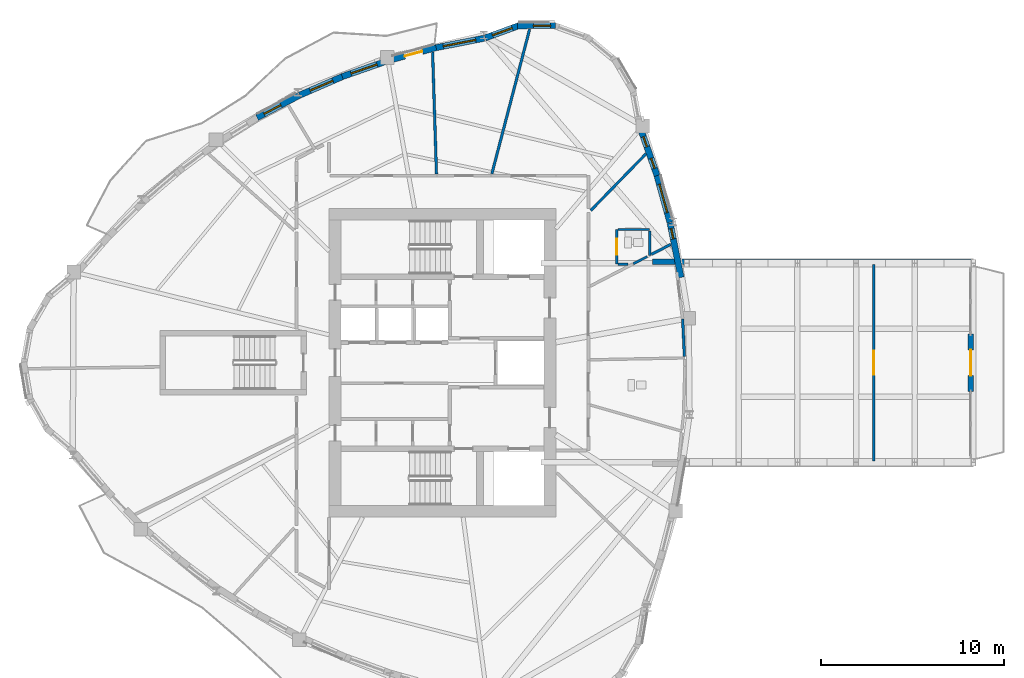
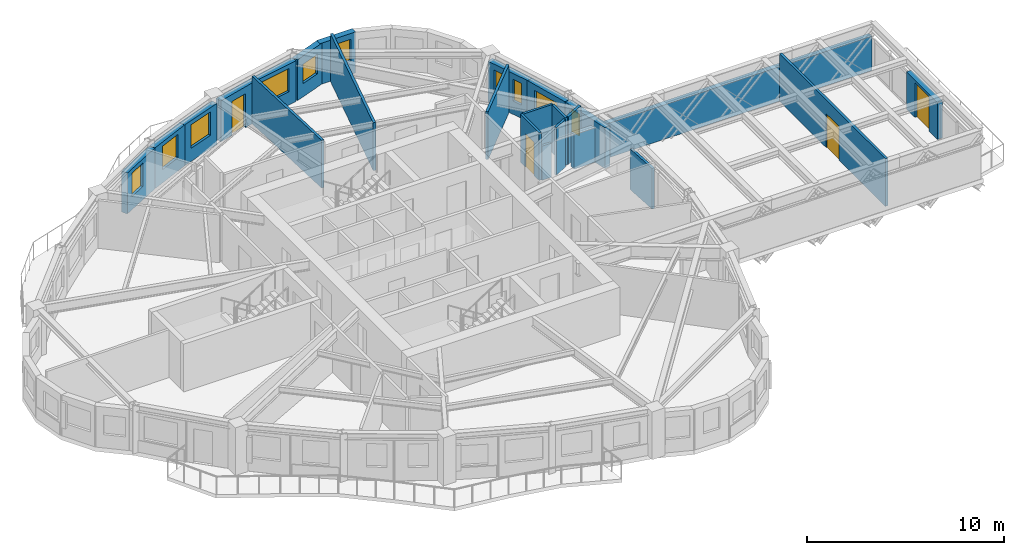
# One storey, part 8 of 13: 23 walls, 10 windows, 4 doors, 14 openings.
"""IFC4 building model written with IfcOpenShell, lengths in metres."""

import ifcopenshell
import ifcopenshell.guid

model = None  # the IFC model being written
_history = None  # IfcOwnerHistory: only IFC2X3 demands one
_inside = {}  # id of a spatial element -> (the spatial element, [elements in it])
_under = {}  # id of a project, library or spatial element -> (it, [spatial elements below it])
_declared = {}  # id of a project -> (the project, [libraries it declares])
_typed = {}  # id of a type object -> (the type object, [elements of that type])
_made_of = {}  # id of a material, layer set ... -> (it, [elements and type objects made of it])


def new_model(schema):
    """Start an empty IFC model of exactly this schema.

    Asked for "IFC4X3", IfcOpenShell would pick the latest addendum, in which some entities
    have other attributes; the version numbers below select the first issue.
    IFC2X3 requires an IfcOwnerHistory on every rooted entity: one is made here for all.
    """
    global model, _history
    if schema == "IFC4X3":
        model = ifcopenshell.file(schema_version=(4, 3, 0, 0))
    else:
        model = ifcopenshell.file(schema=schema)
    _inside.clear()
    _under.clear()
    _declared.clear()
    _typed.clear()
    _made_of.clear()
    _history = None
    if model.schema == "IFC2X3":
        org = make("IfcOrganization", Name="unknown")
        user = make(
            "IfcPersonAndOrganization",
            ThePerson=make("IfcPerson", FamilyName="unknown"),
            TheOrganization=org,
        )
        app = make(
            "IfcApplication",
            ApplicationDeveloper=org,
            Version="unknown",
            ApplicationFullName="unknown",
            ApplicationIdentifier="unknown",
        )
        _history = make(
            "IfcOwnerHistory",
            OwningUser=user,
            OwningApplication=app,
            ChangeAction="ADDED",
            CreationDate=0,
        )
    return model


def make(cls, **values):
    """One entity of the class cls with the attributes given. An attribute that is None is left unset."""
    return model.create_entity(
        cls, **{name: value for name, value in values.items() if value is not None}
    )


def rooted(cls, **values):
    """An entity with a GlobalId (a new one), such as an element, a storey or a relation."""
    return make(cls, GlobalId=ifcopenshell.guid.new(), OwnerHistory=_history, **values)


def si_unit(unit_type, name, prefix=None):
    """IfcSIUnit, for example si_unit("LENGTHUNIT", "METRE", prefix="MILLI")."""
    return make("IfcSIUnit", UnitType=unit_type, Prefix=prefix, Name=name)


def assignment(units):
    """IfcUnitAssignment: the units of a project."""
    return None if units is None else make("IfcUnitAssignment", Units=units)


def point(xyz):
    """IfcCartesianPoint."""
    return None if xyz is None else make("IfcCartesianPoint", Coordinates=xyz)


def direction(xyz):
    """IfcDirection."""
    return None if xyz is None else make("IfcDirection", DirectionRatios=xyz)


def frame(location, z_axis=None, x_axis=None):
    """IfcAxis2Placement3D, a coordinate frame: its origin and axes. An axis left out is left unset."""
    return make(
        "IfcAxis2Placement3D",
        Location=point(location),
        Axis=direction(z_axis),
        RefDirection=direction(x_axis),
    )


def frame_2d(location, x_axis=None):
    """IfcAxis2Placement2D, a coordinate frame in the plane: its origin and x axis."""
    return make(
        "IfcAxis2Placement2D", Location=point(location), RefDirection=direction(x_axis)
    )


def origin():
    """The frame at (0, 0, 0) with its axes left unset."""
    return frame((0.0, 0.0, 0.0))


def place(relative_to, where):
    """IfcLocalPlacement: puts the frame where relative to a parent placement (None: the world)."""
    return make(
        "IfcLocalPlacement", PlacementRelTo=relative_to, RelativePlacement=where
    )


def context(
    kind, dimensions, precision=None, world=None, true_north=None, identifier=None
):
    """IfcGeometricRepresentationContext, for example the 3D "Model" context."""
    return make(
        "IfcGeometricRepresentationContext",
        ContextIdentifier=identifier,
        ContextType=kind,
        CoordinateSpaceDimension=dimensions,
        Precision=precision,
        WorldCoordinateSystem=world,
        TrueNorth=true_north,
    )


def subcontext(parent, identifier, kind, view, scale=None):
    """IfcGeometricRepresentationSubContext, for example "Body" below "Model"."""
    return make(
        "IfcGeometricRepresentationSubContext",
        ContextIdentifier=identifier,
        ContextType=kind,
        ParentContext=parent,
        TargetScale=scale,
        TargetView=view,
    )


def project(units=None, contexts=None):
    """IfcProject with its units and contexts."""
    return rooted(
        "IfcProject",
        Name="project",
        RepresentationContexts=contexts,
        UnitsInContext=assignment(units),
    )


def spatial(cls, under=None, at=None, **own):
    """A site, building, storey or space (cls), placed at a placement, below another one or the project."""
    s = rooted(cls, ObjectPlacement=at, **own)
    if under is not None:
        _under.setdefault(under.id(), (under, []))[1].append(s)
    return s


def profile(cls, at=None, kind="AREA", **sizes):
    """A parametric profile (cls). Its sizes go by their IFC names, for example OverallWidth=200.0."""
    return make(cls, ProfileType=kind, Position=at, **sizes)


def rectangle(**sizes):
    """IfcRectangleProfileDef."""
    return profile("IfcRectangleProfileDef", **sizes)


def extrude(swept, where, along, depth):
    """IfcExtrudedAreaSolid: the profile swept, set in the frame where, extruded along a direction by depth."""
    return make(
        "IfcExtrudedAreaSolid",
        SweptArea=swept,
        Position=where,
        ExtrudedDirection=direction(along),
        Depth=depth,
    )


def shape(context_of_items, identifier, shape_type, items):
    """IfcShapeRepresentation: the items that make up one representation, for example the "Body"."""
    return make(
        "IfcShapeRepresentation",
        ContextOfItems=context_of_items,
        RepresentationIdentifier=identifier,
        RepresentationType=shape_type,
        Items=items,
    )


def source(mapping_origin, context_of_items, identifier, shape_type, items):
    """IfcRepresentationMap: a shape defined once, which mapped items show again and again."""
    return make(
        "IfcRepresentationMap",
        MappingOrigin=mapping_origin,
        MappedRepresentation=shape(context_of_items, identifier, shape_type, items),
    )


def transform(
    local_origin,
    x_axis=None,
    y_axis=None,
    z_axis=None,
    scale=None,
    scale2=None,
    scale3=None,
    uniform=True,
):
    """IfcCartesianTransformationOperator3D, or its non-uniform kind. x_axis, y_axis, z_axis: its Axis1, 2, 3."""
    if uniform:
        return make(
            "IfcCartesianTransformationOperator3D",
            Axis1=direction(x_axis),
            Axis2=direction(y_axis),
            LocalOrigin=point(local_origin),
            Scale=scale,
            Axis3=direction(z_axis),
        )
    return make(
        "IfcCartesianTransformationOperator3DnonUniform",
        Axis1=direction(x_axis),
        Axis2=direction(y_axis),
        LocalOrigin=point(local_origin),
        Scale=scale,
        Axis3=direction(z_axis),
        Scale2=scale2,
        Scale3=scale3,
    )


def mapped(mapping_source, mapping_target):
    """IfcMappedItem: shows the shape of a source again, moved by a transform."""
    return make(
        "IfcMappedItem", MappingSource=mapping_source, MappingTarget=mapping_target
    )


def material(Name=None, Category=None):
    """IfcMaterial."""
    return make("IfcMaterial", Name=Name, Category=Category)


def layer(
    of_material, thickness, ventilated=None, Name=None, Category=None, Priority=None
):
    """IfcMaterialLayer: one layer of a wall or slab, of a material (None: an air gap)."""
    return make(
        "IfcMaterialLayer",
        Material=of_material,
        LayerThickness=thickness,
        IsVentilated=ventilated,
        Name=Name,
        Category=Category,
        Priority=Priority,
    )


def layer_set(layers, Name=None):
    """IfcMaterialLayerSet."""
    return make("IfcMaterialLayerSet", MaterialLayers=layers, LayerSetName=Name)


def made_of(thing, what):
    """Note that an element or type object is made of a material, layer set ...; save() writes the relation."""
    if what is not None:
        _made_of.setdefault(what.id(), (what, []))[1].append(thing)
    return thing


def type_object(cls, material=None, **own):
    """A type object (cls), such as IfcWallType, which elements share."""
    return made_of(rooted(cls, **own), material)


def element(
    cls,
    number,
    at=None,
    inside=None,
    cuts=None,
    type_object=None,
    material=None,
    context=None,
    identifier="Body",
    shape_type=None,
    held_by="IfcProductDefinitionShape",
    body=None,
    shapes=None,
    **own,
):
    """One element of the class cls, such as IfcWall. Its Tag is "e" and its number.

    at: its placement. inside: the storey or other place that contains it. cuts: it is an
    opening in that element (IfcRelVoidsElement). A single representation is given by context,
    identifier, shape_type and body (its items); several are given by shapes. held_by: the class
    of the entity that holds the representations. save() writes the other relations.
    """
    e = rooted(cls, Tag="e%d" % number, ObjectPlacement=at, **own)
    if body is not None:
        shapes = [shape(context, identifier, shape_type, body)]
    if shapes is not None:
        e.Representation = make(held_by, Representations=shapes)
    if inside is not None:
        _inside.setdefault(inside.id(), (inside, []))[1].append(e)
    if cuts is not None:
        rooted(
            "IfcRelVoidsElement", RelatingBuildingElement=cuts, RelatedOpeningElement=e
        )
    if type_object is not None:
        _typed.setdefault(type_object.id(), (type_object, []))[1].append(e)
    return made_of(e, material)


def fill(opening, filler):
    """IfcRelFillsElement: the door or window that sits in an opening."""
    return rooted(
        "IfcRelFillsElement",
        RelatingOpeningElement=opening,
        RelatedBuildingElement=filler,
    )


def aggregate(whole, parts):
    """IfcRelAggregates: a whole, such as a stair, and the parts it consists of."""
    return rooted("IfcRelAggregates", RelatingObject=whole, RelatedObjects=parts)


def save(model, path):
    """Write the relations noted so far, then the file.

    IfcRelAggregates (storeys below a building ...), IfcRelContainedInSpatialStructure (elements
    in a storey), IfcRelDefinesByType, IfcRelAssociatesMaterial and IfcRelDeclares: one each for
    every whole, place, type object, material and project.
    """
    for whole, parts in _under.values():
        aggregate(whole, parts)
    for where, things in _inside.values():
        rooted(
            "IfcRelContainedInSpatialStructure",
            RelatedElements=things,
            RelatingStructure=where,
        )
    for kind, things in _typed.values():
        rooted("IfcRelDefinesByType", RelatedObjects=things, RelatingType=kind)
    for what, things in _made_of.values():
        rooted("IfcRelAssociatesMaterial", RelatedObjects=things, RelatingMaterial=what)
    for by, libraries in _declared.values():
        rooted("IfcRelDeclares", RelatingContext=by, RelatedDefinitions=libraries)
    model.write(path)


model = new_model("IFC4")

# Units and contexts
model_context = context("Model", 3, precision=1e-05, world=origin(), true_north=direction((0.0, 1.0)))
body_context = subcontext(model_context, "Body", "Model", "MODEL_VIEW")
ifc_project = project(units=[si_unit("LENGTHUNIT", "METRE"), si_unit("AREAUNIT", "SQUARE_METRE"), si_unit("VOLUMEUNIT", "CUBIC_METRE"), si_unit("PLANEANGLEUNIT", "RADIAN"), si_unit("MASSUNIT", "GRAM", prefix="KILO")], contexts=[model_context])

# Site, building, storey
site_placement = place(None, origin())
site = spatial("IfcSite", under=ifc_project, at=site_placement, CompositionType="ELEMENT")
building_placement = place(site_placement, origin())
building = spatial("IfcBuilding", under=site, at=building_placement, Name="Qafzar Sky-Pleat Residences", CompositionType="ELEMENT")
storey_placement = place(building_placement, frame((0.0, 0.0, 158.60009765625)))
storey = spatial("IfcBuildingStorey", under=building, at=storey_placement, Name="L47", CompositionType="ELEMENT", Elevation=158.60009765625)

# Wall, opening, door
ifc_material_1 = material(Name="Acoustic gypsum plasterboard partition", Category="gypsum")
ifc_layer_1 = layer(ifc_material_1, 0.14501953125)
ifc_layer_set_1 = layer_set([ifc_layer_1], Name="Acoustic gypsum plasterboard partition")
wall_type_1 = type_object("IfcWallType", Name="PART-UNIT-145", PredefinedType="PARTITIONING", material=ifc_layer_set_1)
wall_1_placement = place(storey_placement, frame((53.93798828125, 31.362060546875, 0.0), z_axis=(0.0, 0.0, 1.0), x_axis=(0.0, -1.0, 0.0)))
wall_1 = element("IfcWall", 1, at=wall_1_placement, inside=storey, type_object=wall_type_1, Name="L47 Partition Wall PART-L47-PW-001", PredefinedType="PARTITIONING", context=body_context, shape_type="SweptSolid", body=[
    extrude(rectangle(XDim=10.72412109375, YDim=0.14501953125, at=frame_2d((5.362060546875, 0.0))), origin(), (0.0, 0.0, 1.0), 2.949951171875),
])
opening_1_placement = place(wall_1_placement, frame((4.7119140625, 0.0, 0.0)))
opening_1 = element("IfcOpeningElement", 2, at=opening_1_placement, cuts=wall_1, Name="Opening ID-05", PredefinedType="OPENING", context=body_context, shape_type="SweptSolid", body=[
    extrude(rectangle(XDim=1.300048828125, YDim=2.10009765625, at=frame_2d((0.64990234375, 1.050048828125))), frame((0.0, 0.08251953125, 0.0), z_axis=(0.0, -1.0, 0.0), x_axis=(1.0, 0.0, 0.0)), (0.0, 0.0, 1.0), 0.1650390625),
])
ifc_material_2 = material(Name="Timber-faced fire door", Category="wood")
door_type_1 = type_object("IfcDoorType", Name="DR-LNG-1300", OperationType="DOUBLE_DOOR_SINGLE_SWING", PredefinedType="DOOR", material=ifc_material_2)
shared_shape_1 = source(origin(), body_context, "Body", "SweptSolid", [
    extrude(rectangle(XDim=1.300048828125, YDim=2.10009765625, at=frame_2d((0.64990234375, 1.050048828125))), frame((0.0, 0.02490234375, 0.0), z_axis=(0.0, -1.0, 0.0), x_axis=(1.0, 0.0, 0.0)), (0.0, 0.0, 1.0), 0.050048828125),
])
door_1_placement = place(opening_1_placement, origin())
door_1 = element("IfcDoor", 3, at=door_1_placement, inside=storey, type_object=door_type_1, Name="L47 Panorama Sky Lounge Door", OperationType="DOUBLE_DOOR_SINGLE_SWING", OverallHeight=2.10009765625, OverallWidth=1.300048828125, PredefinedType="DOOR", context=body_context, shape_type="MappedRepresentation", body=[
    mapped(shared_shape_1, transform((0.0, 0.0, 0.0), x_axis=(1.0, 0.0, 0.0), y_axis=(0.0, 1.0, 0.0), z_axis=(0.0, 0.0, 1.0), scale=1.0)),
])
fill(opening_1, door_1)

# Walls
wall_2_placement = place(storey_placement, frame((33.0517578125, 36.336181640625, 0.0), z_axis=(0.0, 0.0, 1.0), x_axis=(0.252838925964, 0.967508386277, 0.0)))
element("IfcWall", 4, at=wall_2_placement, inside=storey, type_object=wall_type_1, Name="L47 Partition Wall PART-L47-PW-017", PredefinedType="PARTITIONING", context=body_context, shape_type="SweptSolid", body=[
    extrude(rectangle(XDim=8.173828125, YDim=0.14501953125, at=frame_2d((4.0869140625, 0.0))), origin(), (0.0, 0.0, 1.0), 2.949951171875),
])
wall_3_placement = place(storey_placement, frame((29.81005859375, 42.9853515625, 0.0), z_axis=(0.0, 0.0, 1.0), x_axis=(0.031815387529, -0.99949376242, 0.0)))
element("IfcWall", 5, at=wall_3_placement, inside=storey, type_object=wall_type_1, Name="L47 Partition Wall PART-L47-PW-020", PredefinedType="PARTITIONING", context=body_context, shape_type="SweptSolid", body=[
    extrude(rectangle(XDim=6.66845703125, YDim=0.14501953125, at=frame_2d((3.334228515625, 0.0))), origin(), (0.0, 0.0, 1.0), 2.949951171875),
])
wall_4_placement = place(storey_placement, frame((38.467529296875, 34.333251953125, 0.0), z_axis=(0.0, 0.0, 1.0), x_axis=(0.697683159601, 0.71640645503, 0.0)))
element("IfcWall", 6, at=wall_4_placement, inside=storey, type_object=wall_type_1, Name="L47 Partition Wall PART-L47-PW-025", PredefinedType="PARTITIONING", context=body_context, shape_type="SweptSolid", body=[
    extrude(rectangle(XDim=4.316162109375, YDim=0.14501953125, at=frame_2d((2.158203125, 0.0))), origin(), (0.0, 0.0, 1.0), 2.949951171875),
])
wall_5_placement = place(storey_placement, frame((43.48779296875, 28.39501953125, 0.0), z_axis=(0.0, 0.0, 1.0), x_axis=(0.047441179451, -0.998874033346, 0.0)))
element("IfcWall", 7, at=wall_5_placement, inside=storey, type_object=wall_type_1, Name="L47 Partition Wall PART-L47-PW-030", PredefinedType="PARTITIONING", context=body_context, shape_type="SweptSolid", body=[
    extrude(rectangle(XDim=2.058349609375, YDim=0.14501953125, at=frame_2d((1.029296875, 0.0))), origin(), (0.0, 0.0, 1.0), 2.517822265625),
])
wall_6_placement = place(storey_placement, frame((41.777587890625, 31.92578125, 0.0), z_axis=(0.0, 0.0, 1.0), x_axis=(0.887683122967, 0.460454854681, 0.0)))
element("IfcWall", 8, at=wall_6_placement, inside=storey, type_object=wall_type_1, Name="L47 Partition Wall PART-L47-PW-039", PredefinedType="PARTITIONING", context=body_context, shape_type="SweptSolid", body=[
    extrude(rectangle(XDim=1.1904296875, YDim=0.14501953125, at=frame_2d((0.59521484375, 0.0))), origin(), (0.0, 0.0, 1.0), 2.949951171875),
])

# Wall, opening, door
ifc_material_3 = material(Name="Moisture-resistant gypsum partition", Category="gypsum")
ifc_layer_2 = layer(ifc_material_3, 0.1298828125)
ifc_layer_set_2 = layer_set([ifc_layer_2], Name="Moisture-resistant gypsum partition")
wall_type_2 = type_object("IfcWallType", Name="PART-WET-130", PredefinedType="PARTITIONING", material=ifc_layer_set_2)
wall_7_placement = place(storey_placement, frame((39.886962890625, 33.291015625, 0.0), z_axis=(0.0, 0.0, 1.0), x_axis=(0.0, -1.0, 0.0)))
wall_7 = element("IfcWall", 9, at=wall_7_placement, inside=storey, type_object=wall_type_2, Name="L47 Partition Wall PART-L47-PW-014", PredefinedType="PARTITIONING", context=body_context, shape_type="SweptSolid", body=[
    extrude(rectangle(XDim=1.89990234375, YDim=0.1298828125, at=frame_2d((0.949951171875, 0.0))), origin(), (0.0, 0.0, 1.0), 2.949951171875),
])
opening_2_placement = place(wall_7_placement, frame((0.510009765625, 0.0, 0.0)))
opening_2 = element("IfcOpeningElement", 10, at=opening_2_placement, cuts=wall_7, Name="Opening ID-07", PredefinedType="OPENING", context=body_context, shape_type="SweptSolid", body=[
    extrude(rectangle(XDim=0.8798828125, YDim=2.050048828125, at=frame_2d((0.43994140625, 1.02490234375))), frame((0.0, 0.074951171875, 0.0), z_axis=(0.0, -1.0, 0.0), x_axis=(1.0, 0.0, 0.0)), (0.0, 0.0, 1.0), 0.14990234375),
])
door_type_2 = type_object("IfcDoorType", Name="DR-WET-880", OperationType="NOTDEFINED", PredefinedType="DOOR", material=ifc_material_2)
shared_shape_2 = source(origin(), body_context, "Body", "SweptSolid", [
    extrude(rectangle(XDim=0.8798828125, YDim=2.050048828125, at=frame_2d((0.43994140625, 1.02490234375))), frame((0.0, 0.02490234375, 0.0), z_axis=(0.0, -1.0, 0.0), x_axis=(1.0, 0.0, 0.0)), (0.0, 0.0, 1.0), 0.050048828125),
])
door_2_placement = place(opening_2_placement, origin())
door_2 = element("IfcDoor", 11, at=door_2_placement, inside=storey, type_object=door_type_2, Name="L47 En-suite Bathroom 1 Door", OperationType="SINGLE_SWING_RIGHT", OverallHeight=2.050048828125, OverallWidth=0.8798828125, PredefinedType="DOOR", context=body_context, shape_type="MappedRepresentation", body=[
    mapped(shared_shape_2, transform((0.0, 0.0, 0.0), x_axis=(1.0, 0.0, 0.0), y_axis=(0.0, 1.0, 0.0), z_axis=(0.0, 0.0, 1.0), scale=1.0)),
])
fill(opening_2, door_2)

# Walls
wall_8_placement = place(storey_placement, frame((39.9599609375, 33.291015625, 0.0), z_axis=(0.0, 0.0, 1.0), x_axis=(1.0, 0.0, 0.0)))
element("IfcWall", 12, at=wall_8_placement, inside=storey, type_object=wall_type_2, Name="L47 Partition Wall PART-L47-PW-031", PredefinedType="PARTITIONING", context=body_context, shape_type="SweptSolid", body=[
    extrude(rectangle(XDim=1.72705078125, YDim=0.1298828125, at=frame_2d((0.863525390625, 0.0))), origin(), (0.0, 0.0, 1.0), 2.949951171875),
])
wall_9_placement = place(storey_placement, frame((41.68701171875, 31.87890625, 0.0), z_axis=(0.0, 0.0, 1.0), x_axis=(0.0, 1.0, 0.0)))
element("IfcWall", 13, at=wall_9_placement, inside=storey, type_object=wall_type_2, Name="L47 Partition Wall PART-L47-PW-038", PredefinedType="PARTITIONING", context=body_context, shape_type="SweptSolid", body=[
    extrude(rectangle(XDim=1.339111328125, YDim=0.1298828125, at=frame_2d((0.66943359375, 0.0))), origin(), (0.0, 0.0, 1.0), 2.949951171875),
])
wall_10_placement = place(storey_placement, frame((40.789306640625, 31.4130859375, 0.0), z_axis=(0.0, 0.0, 1.0), x_axis=(0.887895541879, 0.460045113779, 0.0)))
element("IfcWall", 14, at=wall_10_placement, inside=storey, type_object=wall_type_2, Name="L47 Partition Wall PART-L47-PW-042", PredefinedType="PARTITIONING", context=body_context, shape_type="SweptSolid", body=[
    extrude(rectangle(XDim=0.864501953125, YDim=0.1298828125, at=frame_2d((0.43212890625, 0.0))), origin(), (0.0, 0.0, 1.0), 2.949951171875),
])
wall_11_placement = place(storey_placement, frame((39.9599609375, 31.39111328125, 0.0), z_axis=(0.0, 0.0, 1.0), x_axis=(1.0, 0.0, 0.0)))
element("IfcWall", 15, at=wall_11_placement, inside=storey, type_object=wall_type_2, Name="L47 Partition Wall PART-L47-PW-045", PredefinedType="PARTITIONING", context=body_context, shape_type="SweptSolid", body=[
    extrude(rectangle(XDim=0.546142578125, YDim=0.1298828125, at=frame_2d((0.27294921875, 0.0))), origin(), (0.0, 0.0, 1.0), 2.117919921875),
])
ifc_material_4 = material(Name="Precast concrete C40/50 with honed Riyadh limestone", Category="concrete")
ifc_layer_3 = layer(ifc_material_4, 0.300048828125)
ifc_layer_set_3 = layer_set([ifc_layer_3], Name="Precast concrete C40/50 with honed Riyadh limestone")
wall_type_3 = type_object("IfcWallType", Name="WALL-EXT-300", PredefinedType="SOLIDWALL", material=ifc_layer_set_3)
wall_12_placement = place(storey_placement, frame((41.85009765625, 31.52001953125, 0.0), z_axis=(0.0, 0.0, 1.0), x_axis=(1.0, 0.0, 0.0)))
element("IfcWall", 16, at=wall_12_placement, inside=storey, type_object=wall_type_3, Name="L47 SB-4 Side Spandrel Wall L", PredefinedType="SOLIDWALL", context=body_context, shape_type="SweptSolid", body=[
    extrude(rectangle(XDim=17.422607421875, YDim=0.300048828125, at=frame_2d((8.71142578125, 0.0))), origin(), (0.0, 0.0, 1.0), 2.1298828125),
])

# Wall, opening, door
wall_13_placement = place(storey_placement, frame((59.24267578125, 27.56005859375, 0.0), z_axis=(0.0, 0.0, 1.0), x_axis=(0.0, -1.0, 0.0)))
wall_13 = element("IfcWall", 17, at=wall_13_placement, inside=storey, type_object=wall_type_3, Name="L47 SB-4 Prow Portal Wall", PredefinedType="SOLIDWALL", context=body_context, shape_type="SweptSolid", body=[
    extrude(rectangle(XDim=3.1201171875, YDim=0.300048828125, at=frame_2d((1.56005859375, 0.0))), origin(), (0.0, 0.0, 1.0), 2.2998046875),
])
opening_3_placement = place(wall_13_placement, frame((0.860107421875, 0.0, 0.0)))
opening_3 = element("IfcOpeningElement", 18, at=opening_3_placement, cuts=wall_13, Name="Opening ED-07", PredefinedType="OPENING", context=body_context, shape_type="SweptSolid", body=[
    extrude(rectangle(XDim=1.39990234375, YDim=2.14990234375, at=frame_2d((0.699951171875, 1.074951171875))), frame((0.0, 0.16015625, 0.0), z_axis=(0.0, -1.0, 0.0), x_axis=(1.0, 0.0, 0.0)), (0.0, 0.0, 1.0), 0.320068359375),
])
ifc_material_5 = material(Name="Glazed bronze aluminium door", Category="aluminium")
door_type_3 = type_object("IfcDoorType", Name="DR-SB-1400", OperationType="DOUBLE_DOOR_SINGLE_SWING", PredefinedType="DOOR", material=ifc_material_5)
shared_shape_3 = source(origin(), body_context, "Body", "SweptSolid", [
    extrude(rectangle(XDim=1.39990234375, YDim=2.14990234375, at=frame_2d((0.699951171875, 1.074951171875))), frame((0.0, 0.02490234375, 0.0), z_axis=(0.0, -1.0, 0.0), x_axis=(1.0, 0.0, 0.0)), (0.0, 0.0, 1.0), 0.050048828125),
])
door_3_placement = place(opening_3_placement, origin())
door_3 = element("IfcDoor", 19, at=door_3_placement, inside=storey, type_object=door_type_3, Name="L47 SB-4 Tip Balcony Glazed Door", OperationType="DOUBLE_DOOR_SINGLE_SWING", OverallHeight=2.14990234375, OverallWidth=1.39990234375, PredefinedType="DOOR", context=body_context, shape_type="MappedRepresentation", body=[
    mapped(shared_shape_3, transform((0.0, 0.0, 0.0), x_axis=(1.0, 0.0, 0.0), y_axis=(0.0, 1.0, 0.0), z_axis=(0.0, 0.0, 1.0), scale=1.0)),
])
fill(opening_3, door_3)

# Wall, opening, window
ifc_layer_4 = layer(ifc_material_4, 0.340087890625)
ifc_layer_set_4 = layer_set([ifc_layer_4], Name="Precast concrete C40/50 with honed Riyadh limestone")
wall_type_4 = type_object("IfcWallType", Name="WALL-EXT-340", PredefinedType="SOLIDWALL", material=ifc_layer_set_4)
wall_14_placement = place(storey_placement, frame((43.39794921875, 30.664306640625, 0.0), z_axis=(0.0, 0.0, 1.0), x_axis=(-0.196147002944, 0.980574501624, 0.0)))
wall_14 = element("IfcWall", 20, at=wall_14_placement, inside=storey, type_object=wall_type_4, Name="L47 Limestone Facade Wall 30", PredefinedType="SOLIDWALL", context=body_context, shape_type="SweptSolid", body=[
    extrude(rectangle(XDim=3.0419921875, YDim=0.340087890625, at=frame_2d((1.52099609375, 0.0))), origin(), (0.0, 0.0, 1.0), 2.52978515625),
])
opening_4_placement = place(wall_14_placement, frame((2.149169921875, 0.0, 0.820068359375)))
opening_4 = element("IfcOpeningElement", 21, at=opening_4_placement, cuts=wall_14, Name="Opening WN-17", PredefinedType="OPENING", context=body_context, shape_type="SweptSolid", body=[
    extrude(rectangle(XDim=0.580078125, YDim=1.35009765625, at=frame_2d((0.2900390625, 0.675048828125))), frame((0.0, 0.18017578125, 0.0), z_axis=(0.0, -1.0, 0.0), x_axis=(1.0, 0.0, 0.0)), (0.0, 0.0, 1.0), 0.360107421875),
])
ifc_material_6 = material(Name="Solar-control low-E glass in bronze aluminium frame", Category="glass")
window_type_1 = type_object("IfcWindowType", Name="WIN-17", PartitioningType="SINGLE_PANEL", PredefinedType="WINDOW", material=ifc_material_6)
shared_shape_4 = source(origin(), body_context, "Body", "SweptSolid", [
    extrude(rectangle(XDim=0.580078125, YDim=1.35009765625, at=frame_2d((0.2900390625, 0.675048828125))), frame((0.0, 0.030029296875, 0.0), z_axis=(0.0, -1.0, 0.0), x_axis=(1.0, 0.0, 0.0)), (0.0, 0.0, 1.0), 0.06005859375),
])
window_1_placement = place(opening_4_placement, origin())
window_1 = element("IfcWindow", 22, at=window_1_placement, inside=storey, type_object=window_type_1, Name="L47 Punched Facade Window 30-3", OverallHeight=1.35009765625, OverallWidth=0.580078125, PartitioningType="SINGLE_PANEL", PredefinedType="WINDOW", context=body_context, shape_type="MappedRepresentation", body=[
    mapped(shared_shape_4, transform((0.0, 0.0, 0.0), x_axis=(1.0, 0.0, 0.0), y_axis=(0.0, 1.0, 0.0), z_axis=(0.0, 0.0, 1.0), scale=1.0)),
])
fill(opening_4, window_1)

wall_15_placement = place(storey_placement, frame((42.794921875, 33.67431640625, 0.0), z_axis=(0.0, 0.0, 1.0), x_axis=(-0.266404970566, 0.963861188999, 0.0)))
wall_15 = element("IfcWall", 23, at=wall_15_placement, inside=storey, type_object=wall_type_4, Name="L47 Limestone Facade Wall 31", PredefinedType="SOLIDWALL", context=body_context, shape_type="SweptSolid", body=[
    extrude(rectangle(XDim=2.74462890625, YDim=0.340087890625, at=frame_2d((1.372314453125, 0.0))), origin(), (0.0, 0.0, 1.0), 2.52978515625),
])
opening_5_placement = place(wall_15_placement, frame((0.5625, 0.0, 0.820068359375)))
opening_5 = element("IfcOpeningElement", 24, at=opening_5_placement, cuts=wall_15, Name="Opening WN-09", PredefinedType="OPENING", context=body_context, shape_type="SweptSolid", body=[
    extrude(rectangle(XDim=1.60009765625, YDim=1.35009765625, at=frame_2d((0.800048828125, 0.675048828125))), frame((0.0, 0.18017578125, 0.0), z_axis=(0.0, -1.0, 0.0), x_axis=(1.0, 0.0, 0.0)), (0.0, 0.0, 1.0), 0.360107421875),
])
window_type_2 = type_object("IfcWindowType", Name="WIN-09", PartitioningType="DOUBLE_PANEL_VERTICAL", PredefinedType="WINDOW", material=ifc_material_6)
shared_shape_5 = source(origin(), body_context, "Body", "SweptSolid", [
    extrude(rectangle(XDim=1.60009765625, YDim=1.35009765625, at=frame_2d((0.800048828125, 0.675048828125))), frame((0.0, 0.030029296875, 0.0), z_axis=(0.0, -1.0, 0.0), x_axis=(1.0, 0.0, 0.0)), (0.0, 0.0, 1.0), 0.06005859375),
])
window_2_placement = place(opening_5_placement, origin())
window_2 = element("IfcWindow", 25, at=window_2_placement, inside=storey, type_object=window_type_2, Name="L47 Punched Facade Window 31", OverallHeight=1.35009765625, OverallWidth=1.60009765625, PartitioningType="SINGLE_PANEL", PredefinedType="WINDOW", context=body_context, shape_type="MappedRepresentation", body=[
    mapped(shared_shape_5, transform((0.0, 0.0, 0.0), x_axis=(1.0, 0.0, 0.0), y_axis=(0.0, 1.0, 0.0), z_axis=(0.0, 0.0, 1.0), scale=1.0)),
])
fill(opening_5, window_2)

# Wall, openings, windows
wall_16_placement = place(storey_placement, frame((42.090087890625, 36.236083984375, 0.0), z_axis=(0.0, 0.0, 1.0), x_axis=(-0.332705243691, 0.943030869495, 0.0)))
wall_16 = element("IfcWall", 26, at=wall_16_placement, inside=storey, type_object=wall_type_4, Name="L47 Limestone Facade Wall 32", PredefinedType="SOLIDWALL", context=body_context, shape_type="SweptSolid", body=[
    extrude(rectangle(XDim=2.668212890625, YDim=0.340087890625, at=frame_2d((1.333984375, 0.0))), origin(), (0.0, 0.0, 1.0), 2.52978515625),
])
opening_6_placement = place(wall_16_placement, frame((0.41748046875, 0.0, 0.820068359375)))
opening_6 = element("IfcOpeningElement", 27, at=opening_6_placement, cuts=wall_16, Name="Opening WN-17", PredefinedType="OPENING", context=body_context, shape_type="SweptSolid", body=[
    extrude(rectangle(XDim=0.580078125, YDim=1.35009765625, at=frame_2d((0.2900390625, 0.675048828125))), frame((0.0, 0.18017578125, 0.0), z_axis=(0.0, -1.0, 0.0), x_axis=(1.0, 0.0, 0.0)), (0.0, 0.0, 1.0), 0.360107421875),
])
opening_7_placement = place(wall_16_placement, frame((1.676513671875, 0.0, 0.820068359375)))
opening_7 = element("IfcOpeningElement", 28, at=opening_7_placement, cuts=wall_16, Name="Opening WN-17", PredefinedType="OPENING", context=body_context, shape_type="SweptSolid", body=[
    extrude(rectangle(XDim=0.580078125, YDim=1.35009765625, at=frame_2d((0.2900390625, 0.675048828125))), frame((0.0, 0.18017578125, 0.0), z_axis=(0.0, -1.0, 0.0), x_axis=(1.0, 0.0, 0.0)), (0.0, 0.0, 1.0), 0.360107421875),
])
window_3_placement = place(opening_6_placement, origin())
window_3 = element("IfcWindow", 29, at=window_3_placement, inside=storey, type_object=window_type_1, Name="L47 Punched Facade Window 32", OverallHeight=1.35009765625, OverallWidth=0.580078125, PartitioningType="SINGLE_PANEL", PredefinedType="WINDOW", context=body_context, shape_type="MappedRepresentation", body=[
    mapped(shared_shape_4, transform((0.0, 0.0, 0.0), x_axis=(1.0, 0.0, 0.0), y_axis=(0.0, 1.0, 0.0), z_axis=(0.0, 0.0, 1.0), scale=1.0)),
])
fill(opening_6, window_3)
window_4_placement = place(opening_7_placement, origin())
window_4 = element("IfcWindow", 30, at=window_4_placement, inside=storey, type_object=window_type_1, Name="L47 Punched Facade Window 32-2", OverallHeight=1.35009765625, OverallWidth=0.580078125, PartitioningType="SINGLE_PANEL", PredefinedType="WINDOW", context=body_context, shape_type="MappedRepresentation", body=[
    mapped(shared_shape_4, transform((0.0, 0.0, 0.0), x_axis=(1.0, 0.0, 0.0), y_axis=(0.0, 1.0, 0.0), z_axis=(0.0, 0.0, 1.0), scale=1.0)),
])
fill(opening_7, window_4)

# Wall, opening, window
wall_17_placement = place(storey_placement, frame((36.538330078125, 44.44384765625, 0.0), z_axis=(0.0, 0.0, 1.0), x_axis=(-0.999997247411, -0.002346309825, 0.0)))
wall_17 = element("IfcWall", 31, at=wall_17_placement, inside=storey, type_object=wall_type_4, Name="L47 Limestone Facade Wall 37", PredefinedType="SOLIDWALL", context=body_context, shape_type="SweptSolid", body=[
    extrude(rectangle(XDim=2.0810546875, YDim=0.340087890625, at=frame_2d((1.04052734375, 0.0))), origin(), (0.0, 0.0, 1.0), 2.52978515625),
])
opening_8_placement = place(wall_17_placement, frame((0.2705078125, 0.0, 0.820068359375)))
opening_8 = element("IfcOpeningElement", 32, at=opening_8_placement, cuts=wall_17, Name="Opening WN-12", PredefinedType="OPENING", context=body_context, shape_type="SweptSolid", body=[
    extrude(rectangle(XDim=0.949951171875, YDim=1.35009765625, at=frame_2d((0.47509765625, 0.675048828125))), frame((0.0, 0.18017578125, 0.0), z_axis=(0.0, -1.0, 0.0), x_axis=(1.0, 0.0, 0.0)), (0.0, 0.0, 1.0), 0.360107421875),
])
window_type_3 = type_object("IfcWindowType", Name="WIN-12", PartitioningType="SINGLE_PANEL", PredefinedType="WINDOW", material=ifc_material_6)
shared_shape_6 = source(origin(), body_context, "Body", "SweptSolid", [
    extrude(rectangle(XDim=0.949951171875, YDim=1.35009765625, at=frame_2d((0.47509765625, 0.675048828125))), frame((0.0, 0.030029296875, 0.0), z_axis=(0.0, -1.0, 0.0), x_axis=(1.0, 0.0, 0.0)), (0.0, 0.0, 1.0), 0.06005859375),
])
window_5_placement = place(opening_8_placement, origin())
window_5 = element("IfcWindow", 33, at=window_5_placement, inside=storey, type_object=window_type_3, Name="L47 Punched Facade Window 37", OverallHeight=1.35009765625, OverallWidth=0.949951171875, PartitioningType="SINGLE_PANEL", PredefinedType="WINDOW", context=body_context, shape_type="MappedRepresentation", body=[
    mapped(shared_shape_6, transform((0.0, 0.0, 0.0), x_axis=(1.0, 0.0, 0.0), y_axis=(0.0, 1.0, 0.0), z_axis=(0.0, 0.0, 1.0), scale=1.0)),
])
fill(opening_8, window_5)

wall_18_placement = place(storey_placement, frame((34.5888671875, 44.46240234375, 0.0), z_axis=(0.0, 0.0, 1.0), x_axis=(-0.939387553708, -0.342857148007, 0.0)))
wall_18 = element("IfcWall", 34, at=wall_18_placement, inside=storey, type_object=wall_type_4, Name="L47 Limestone Facade Wall 38", PredefinedType="SOLIDWALL", context=body_context, shape_type="SweptSolid", body=[
    extrude(rectangle(XDim=2.02294921875, YDim=0.340087890625, at=frame_2d((1.011474609375, 0.0))), origin(), (0.0, 0.0, 1.0), 2.52978515625),
])
opening_9_placement = place(wall_18_placement, frame((0.446533203125, 0.0, 0.820068359375)))
opening_9 = element("IfcOpeningElement", 35, at=opening_9_placement, cuts=wall_18, Name="Opening WN-16", PredefinedType="OPENING", context=body_context, shape_type="SweptSolid", body=[
    extrude(rectangle(XDim=1.14990234375, YDim=1.199951171875, at=frame_2d((0.574951171875, 0.60009765625))), frame((0.0, 0.18017578125, 0.0), z_axis=(0.0, -1.0, 0.0), x_axis=(1.0, 0.0, 0.0)), (0.0, 0.0, 1.0), 0.360107421875),
])
window_type_4 = type_object("IfcWindowType", Name="WIN-16", PartitioningType="SINGLE_PANEL", PredefinedType="WINDOW", material=ifc_material_6)
shared_shape_7 = source(origin(), body_context, "Body", "SweptSolid", [
    extrude(rectangle(XDim=1.14990234375, YDim=1.199951171875, at=frame_2d((0.574951171875, 0.60009765625))), frame((0.0, 0.030029296875, 0.0), z_axis=(0.0, -1.0, 0.0), x_axis=(1.0, 0.0, 0.0)), (0.0, 0.0, 1.0), 0.06005859375),
])
window_6_placement = place(opening_9_placement, origin())
window_6 = element("IfcWindow", 36, at=window_6_placement, inside=storey, type_object=window_type_4, Name="L47 Punched Facade Window 38", OverallHeight=1.199951171875, OverallWidth=1.14990234375, PartitioningType="SINGLE_PANEL", PredefinedType="WINDOW", context=body_context, shape_type="MappedRepresentation", body=[
    mapped(shared_shape_7, transform((0.0, 0.0, 0.0), x_axis=(1.0, 0.0, 0.0), y_axis=(0.0, 1.0, 0.0), z_axis=(0.0, 0.0, 1.0), scale=1.0)),
])
fill(opening_9, window_6)

wall_19_placement = place(storey_placement, frame((32.62451171875, 43.7509765625, 0.0), z_axis=(0.0, 0.0, 1.0), x_axis=(-0.981232663103, -0.192827541756, 0.0)))
wall_19 = element("IfcWall", 37, at=wall_19_placement, inside=storey, type_object=wall_type_4, Name="L47 Limestone Facade Wall 39", PredefinedType="SOLIDWALL", context=body_context, shape_type="SweptSolid", body=[
    extrude(rectangle(XDim=2.75634765625, YDim=0.340087890625, at=frame_2d((1.378173828125, 0.0))), origin(), (0.0, 0.0, 1.0), 2.52978515625),
])
opening_10_placement = place(wall_19_placement, frame((0.468017578125, 0.0, 0.820068359375)))
opening_10 = element("IfcOpeningElement", 38, at=opening_10_placement, cuts=wall_19, Name="Opening WN-01", PredefinedType="OPENING", context=body_context, shape_type="SweptSolid", body=[
    extrude(rectangle(XDim=1.800048828125, YDim=1.449951171875, at=frame_2d((0.89990234375, 0.72509765625))), frame((0.0, 0.18017578125, 0.0), z_axis=(0.0, -1.0, 0.0), x_axis=(1.0, 0.0, 0.0)), (0.0, 0.0, 1.0), 0.360107421875),
])
window_type_5 = type_object("IfcWindowType", Name="WIN-01", PartitioningType="DOUBLE_PANEL_VERTICAL", PredefinedType="WINDOW", material=ifc_material_6)
shared_shape_8 = source(origin(), body_context, "Body", "SweptSolid", [
    extrude(rectangle(XDim=1.800048828125, YDim=1.449951171875, at=frame_2d((0.89990234375, 0.72509765625))), frame((0.0, 0.030029296875, 0.0), z_axis=(0.0, -1.0, 0.0), x_axis=(1.0, 0.0, 0.0)), (0.0, 0.0, 1.0), 0.06005859375),
])
window_7_placement = place(opening_10_placement, origin())
window_7 = element("IfcWindow", 39, at=window_7_placement, inside=storey, type_object=window_type_5, Name="L47 Punched Facade Window 39", OverallHeight=1.449951171875, OverallWidth=1.800048828125, PartitioningType="SINGLE_PANEL", PredefinedType="WINDOW", context=body_context, shape_type="MappedRepresentation", body=[
    mapped(shared_shape_8, transform((0.0, 0.0, 0.0), x_axis=(1.0, 0.0, 0.0), y_axis=(0.0, 1.0, 0.0), z_axis=(0.0, 0.0, 1.0), scale=1.0)),
])
fill(opening_10, window_7)

# Wall, opening, door
wall_20_placement = place(storey_placement, frame((30.005615234375, 43.239501953125, 0.0), z_axis=(0.0, 0.0, 1.0), x_axis=(-0.965448248334, -0.260594857563, 0.0)))
wall_20 = element("IfcWall", 40, at=wall_20_placement, inside=storey, type_object=wall_type_4, Name="L47 Limestone Facade Wall 40", PredefinedType="SOLIDWALL", context=body_context, shape_type="SweptSolid", body=[
    extrude(rectangle(XDim=2.564208984375, YDim=0.340087890625, at=frame_2d((1.2822265625, 0.0))), origin(), (0.0, 0.0, 1.0), 2.52978515625),
])
opening_11_placement = place(wall_20_placement, frame((0.781982421875, 0.0, 0.0)))
opening_11 = element("IfcOpeningElement", 41, at=opening_11_placement, cuts=wall_20, Name="Opening ED-05", PredefinedType="OPENING", context=body_context, shape_type="SweptSolid", body=[
    extrude(rectangle(XDim=1.0, YDim=2.10009765625, at=frame_2d((0.5, 1.050048828125))), frame((0.0, 0.18017578125, 0.0), z_axis=(0.0, -1.0, 0.0), x_axis=(1.0, 0.0, 0.0)), (0.0, 0.0, 1.0), 0.360107421875),
])
door_type_4 = type_object("IfcDoorType", Name="DR-BAL-1000", OperationType="NOTDEFINED", PredefinedType="DOOR", material=ifc_material_5)
shared_shape_9 = source(origin(), body_context, "Body", "SweptSolid", [
    extrude(rectangle(XDim=1.0, YDim=2.10009765625, at=frame_2d((0.5, 1.050048828125))), frame((0.0, 0.02490234375, 0.0), z_axis=(0.0, -1.0, 0.0), x_axis=(1.0, 0.0, 0.0)), (0.0, 0.0, 1.0), 0.050048828125),
])
door_4_placement = place(opening_11_placement, origin())
door_4 = element("IfcDoor", 42, at=door_4_placement, inside=storey, type_object=door_type_4, Name="L47 Glazed Balcony Door 1", OperationType="SINGLE_SWING_LEFT", OverallHeight=2.10009765625, OverallWidth=1.0, PredefinedType="DOOR", context=body_context, shape_type="MappedRepresentation", body=[
    mapped(shared_shape_9, transform((0.0, 0.0, 0.0), x_axis=(1.0, 0.0, 0.0), y_axis=(0.0, 1.0, 0.0), z_axis=(0.0, 0.0, 1.0), scale=1.0)),
])
fill(opening_11, door_4)

# Wall, opening, window
wall_21_placement = place(storey_placement, frame((27.245849609375, 42.4833984375, 0.0), z_axis=(0.0, 0.0, 1.0), x_axis=(-0.944132901201, -0.32956496305, 0.0)))
wall_21 = element("IfcWall", 43, at=wall_21_placement, inside=storey, type_object=wall_type_4, Name="L47 Limestone Facade Wall 41", PredefinedType="SOLIDWALL", context=body_context, shape_type="SweptSolid", body=[
    extrude(rectangle(XDim=2.520263671875, YDim=0.340087890625, at=frame_2d((1.26025390625, 0.0))), origin(), (0.0, 0.0, 1.0), 2.52978515625),
])
opening_12_placement = place(wall_21_placement, frame((0.505126953125, 0.0, 0.820068359375)))
opening_12 = element("IfcOpeningElement", 44, at=opening_12_placement, cuts=wall_21, Name="Opening WN-03", PredefinedType="OPENING", context=body_context, shape_type="SweptSolid", body=[
    extrude(rectangle(XDim=1.5, YDim=1.449951171875, at=frame_2d((0.75, 0.72509765625))), frame((0.0, 0.18017578125, 0.0), z_axis=(0.0, -1.0, 0.0), x_axis=(1.0, 0.0, 0.0)), (0.0, 0.0, 1.0), 0.360107421875),
])
window_type_6 = type_object("IfcWindowType", Name="WIN-03", PartitioningType="DOUBLE_PANEL_VERTICAL", PredefinedType="WINDOW", material=ifc_material_6)
shared_shape_10 = source(origin(), body_context, "Body", "SweptSolid", [
    extrude(rectangle(XDim=1.5, YDim=1.449951171875, at=frame_2d((0.75, 0.72509765625))), frame((0.0, 0.030029296875, 0.0), z_axis=(0.0, -1.0, 0.0), x_axis=(1.0, 0.0, 0.0)), (0.0, 0.0, 1.0), 0.06005859375),
])
window_8_placement = place(opening_12_placement, origin())
window_8 = element("IfcWindow", 45, at=window_8_placement, inside=storey, type_object=window_type_6, Name="L47 Punched Facade Window 41", OverallHeight=1.449951171875, OverallWidth=1.5, PartitioningType="SINGLE_PANEL", PredefinedType="WINDOW", context=body_context, shape_type="MappedRepresentation", body=[
    mapped(shared_shape_10, transform((0.0, 0.0, 0.0), x_axis=(1.0, 0.0, 0.0), y_axis=(0.0, 1.0, 0.0), z_axis=(0.0, 0.0, 1.0), scale=1.0)),
])
fill(opening_12, window_8)

wall_22_placement = place(storey_placement, frame((24.948974609375, 41.68505859375, 0.0), z_axis=(0.0, 0.0, 1.0), x_axis=(-0.917112921707, -0.398627506373, 0.0)))
wall_22 = element("IfcWall", 46, at=wall_22_placement, inside=storey, type_object=wall_type_4, Name="L47 Limestone Facade Wall 42", PredefinedType="SOLIDWALL", context=body_context, shape_type="SweptSolid", body=[
    extrude(rectangle(XDim=2.62548828125, YDim=0.340087890625, at=frame_2d((1.312744140625, 0.0))), origin(), (0.0, 0.0, 1.0), 2.52978515625),
])
opening_13_placement = place(wall_22_placement, frame((0.647705078125, 0.0, 0.820068359375)))
opening_13 = element("IfcOpeningElement", 47, at=opening_13_placement, cuts=wall_22, Name="Opening WN-04", PredefinedType="OPENING", context=body_context, shape_type="SweptSolid", body=[
    extrude(rectangle(XDim=1.35009765625, YDim=1.449951171875, at=frame_2d((0.675048828125, 0.72509765625))), frame((0.0, 0.18017578125, 0.0), z_axis=(0.0, -1.0, 0.0), x_axis=(1.0, 0.0, 0.0)), (0.0, 0.0, 1.0), 0.360107421875),
])
window_type_7 = type_object("IfcWindowType", Name="WIN-04", PartitioningType="SINGLE_PANEL", PredefinedType="WINDOW", material=ifc_material_6)
shared_shape_11 = source(origin(), body_context, "Body", "SweptSolid", [
    extrude(rectangle(XDim=1.35009765625, YDim=1.449951171875, at=frame_2d((0.675048828125, 0.72509765625))), frame((0.0, 0.030029296875, 0.0), z_axis=(0.0, -1.0, 0.0), x_axis=(1.0, 0.0, 0.0)), (0.0, 0.0, 1.0), 0.06005859375),
])
window_9_placement = place(opening_13_placement, origin())
window_9 = element("IfcWindow", 48, at=window_9_placement, inside=storey, type_object=window_type_7, Name="L47 Punched Facade Window 42", OverallHeight=1.449951171875, OverallWidth=1.35009765625, PartitioningType="SINGLE_PANEL", PredefinedType="WINDOW", context=body_context, shape_type="MappedRepresentation", body=[
    mapped(shared_shape_11, transform((0.0, 0.0, 0.0), x_axis=(1.0, 0.0, 0.0), y_axis=(0.0, 1.0, 0.0), z_axis=(0.0, 0.0, 1.0), scale=1.0)),
])
fill(opening_13, window_9)

wall_23_placement = place(storey_placement, frame((22.5166015625, 40.626708984375, 0.0), z_axis=(0.0, 0.0, 1.0), x_axis=(-0.884374030812, -0.466778934427, 0.0)))
wall_23 = element("IfcWall", 49, at=wall_23_placement, inside=storey, type_object=wall_type_4, Name="L47 Limestone Facade Wall 43", PredefinedType="SOLIDWALL", context=body_context, shape_type="SweptSolid", body=[
    extrude(rectangle(XDim=2.611083984375, YDim=0.340087890625, at=frame_2d((1.3056640625, 0.0))), origin(), (0.0, 0.0, 1.0), 2.52978515625),
])
opening_14_placement = place(wall_23_placement, frame((1.1328125, 0.0, 0.820068359375)))
opening_14 = element("IfcOpeningElement", 50, at=opening_14_placement, cuts=wall_23, Name="Opening WN-06", PredefinedType="OPENING", context=body_context, shape_type="SweptSolid", body=[
    extrude(rectangle(XDim=1.050048828125, YDim=1.449951171875, at=frame_2d((0.52490234375, 0.72509765625))), frame((0.0, 0.18017578125, 0.0), z_axis=(0.0, -1.0, 0.0), x_axis=(1.0, 0.0, 0.0)), (0.0, 0.0, 1.0), 0.360107421875),
])
window_type_8 = type_object("IfcWindowType", Name="WIN-06", PartitioningType="SINGLE_PANEL", PredefinedType="WINDOW", material=ifc_material_6)
shared_shape_12 = source(origin(), body_context, "Body", "SweptSolid", [
    extrude(rectangle(XDim=1.050048828125, YDim=1.449951171875, at=frame_2d((0.52490234375, 0.72509765625))), frame((0.0, 0.030029296875, 0.0), z_axis=(0.0, -1.0, 0.0), x_axis=(1.0, 0.0, 0.0)), (0.0, 0.0, 1.0), 0.06005859375),
])
window_10_placement = place(opening_14_placement, origin())
window_10 = element("IfcWindow", 51, at=window_10_placement, inside=storey, type_object=window_type_8, Name="L47 Punched Facade Window 43-2", OverallHeight=1.449951171875, OverallWidth=1.050048828125, PartitioningType="SINGLE_PANEL", PredefinedType="WINDOW", context=body_context, shape_type="MappedRepresentation", body=[
    mapped(shared_shape_12, transform((0.0, 0.0, 0.0), x_axis=(1.0, 0.0, 0.0), y_axis=(0.0, 1.0, 0.0), z_axis=(0.0, 0.0, 1.0), scale=1.0)),
])
fill(opening_14, window_10)

save(model, "model.ifc")
